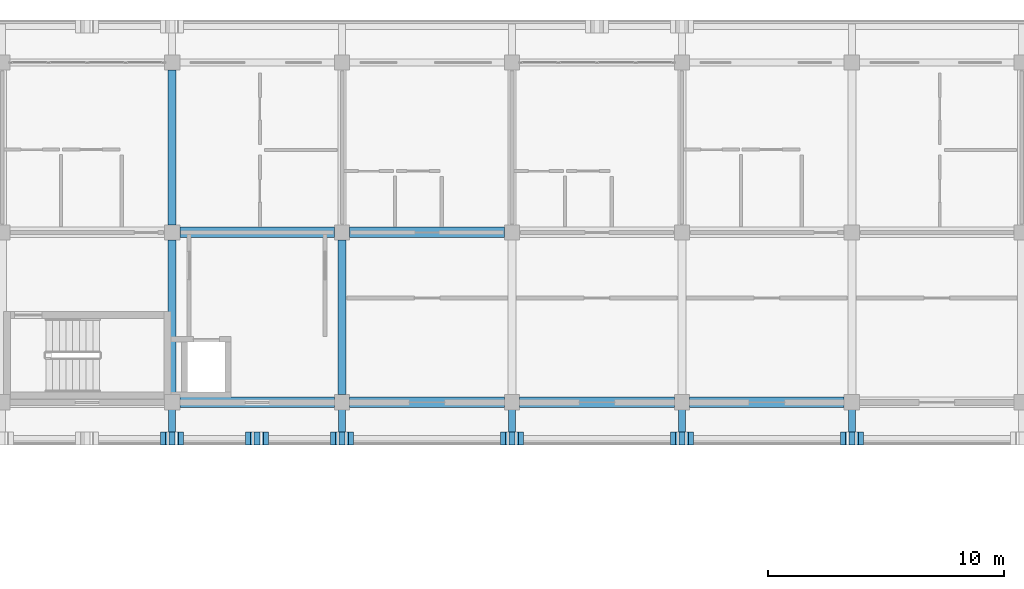
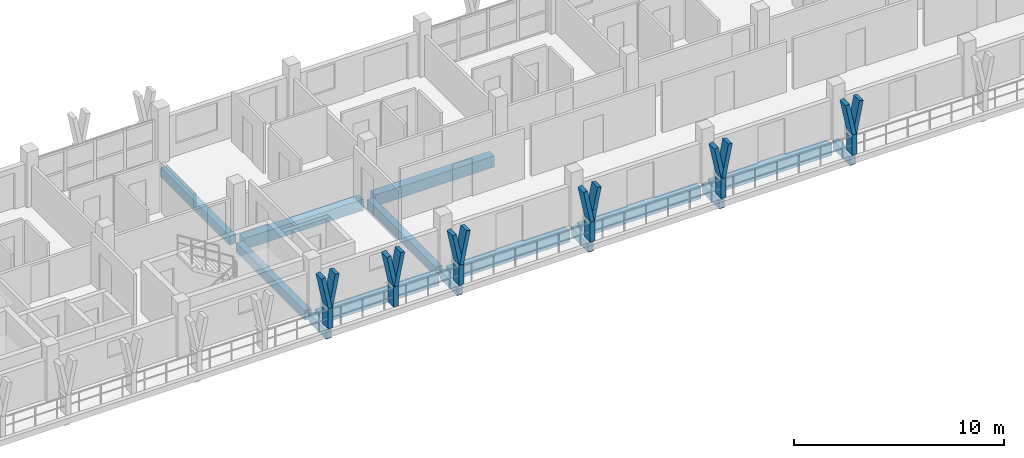
# One storey, part 19 of 78: 18 members, 14 beams.
"""IFC4 building model written with IfcOpenShell, lengths in metres."""

from ifc_helpers import new_model, si_unit, direction, frame, origin, origin_2d, place, context, subcontext, project, spatial, rectangle, extrude, material, material_profile, profile_set, type_object, element, save


model = new_model("IFC4")

# Units and contexts
model_context = context("Model", 3, precision=1e-05, world=origin(), true_north=direction((0.0, 1.0)))
body_context = subcontext(model_context, "Body", "Model", "MODEL_VIEW")
ifc_project = project(units=[si_unit("LENGTHUNIT", "METRE"), si_unit("AREAUNIT", "SQUARE_METRE"), si_unit("VOLUMEUNIT", "CUBIC_METRE"), si_unit("PLANEANGLEUNIT", "RADIAN"), si_unit("MASSUNIT", "GRAM", prefix="KILO")], contexts=[model_context])

# Site, building, storey
site_placement = place(None, origin())
site = spatial("IfcSite", under=ifc_project, at=site_placement, CompositionType="ELEMENT")
building_placement = place(site_placement, origin())
building = spatial("IfcBuilding", under=site, at=building_placement, Name="Suanplinth Sawtooth Commons", CompositionType="ELEMENT")
storey_placement = place(building_placement, frame((0.0, 0.0, 15.39990234375)))
storey = spatial("IfcBuildingStorey", under=building, at=storey_placement, Name="L04", CompositionType="ELEMENT", Elevation=15.39990234375)

# Beams
ifc_material_1 = material(Name="Precast concrete C40/50", Category="concrete")
ifc_material_profile_1 = material_profile(ifc_material_1, rectangle(XDim=0.449951171875, YDim=0.64990234375, at=origin_2d()), Name="PC-GDR 450x650")
ifc_profile_set_1 = profile_set([ifc_material_profile_1], Name="Precast concrete C40/50")
beam_type_1 = type_object("IfcBeamType", Name="B-04", PredefinedType="USERDEFINED", material=ifc_profile_set_1)
for number, where, z_axis, x_axis, name in (
    (1, (65.125, 108.0, -0.544921875), (1.0, 0.0, 0.0), (0.0, 1.0, 0.0), "BMX-L04-A-9-15"),
    (2, (65.125, 115.199951171875, -0.544921875), (1.0, 0.0, 0.0), (0.0, 1.0, 0.0), "BMX-L04-A-9-16"),
    (3, (72.324951171875, 108.0, -0.544921875), (1.0, 0.0, 0.0), (0.0, 1.0, 0.0), "BMX-L04-A-10-15"),
    (4, (72.324951171875, 115.199951171875, -0.544921875), (1.0, 0.0, 0.0), (0.0, 1.0, 0.0), "BMX-L04-A-10-16"),
    (5, (79.52490234375, 108.0, -0.544921875), (1.0, 0.0, 0.0), (0.0, 1.0, 0.0), "BMX-L04-A-11-15"),
):
    element("IfcBeam", number, at=place(storey_placement, frame(where, z_axis=z_axis, x_axis=x_axis)), inside=storey, type_object=beam_type_1, Name=name, ObjectType="GIRDER", PredefinedType="USERDEFINED", context=body_context, shape_type="SweptSolid", body=[
        extrude(rectangle(XDim=0.449951171875, YDim=0.64990234375, at=origin_2d()), origin(), (0.0, 0.0, 1.0), 6.550048828125),
    ])
beam_placement = place(storey_placement, frame((86.72509765625, 108.0, -0.544921875), z_axis=(1.0, 0.0, 0.0), x_axis=(0.0, 1.0, 0.0)))
element("IfcBeam", 6, at=beam_placement, inside=storey, type_object=beam_type_1, Name="BMX-L04-A-12-15", ObjectType="GIRDER", PredefinedType="USERDEFINED", context=body_context, shape_type="SweptSolid", body=[
    extrude(rectangle(XDim=0.449951171875, YDim=0.64990234375, at=origin_2d()), origin(), (0.0, 0.0, 1.0), 6.5498046875),
])
ifc_material_profile_2 = material_profile(ifc_material_1, rectangle(XDim=0.35009765625, YDim=0.550048828125, at=origin_2d()), Name="PC-BM 350x550")
ifc_profile_set_2 = profile_set([ifc_material_profile_2], Name="Precast concrete C40/50")
beam_type_2 = type_object("IfcBeamType", Name="B-06", PredefinedType="BEAM", material=ifc_profile_set_2)
for number, where, z_axis, x_axis, name in (
    (7, (64.800048828125, 108.324951171875, -0.494873046875), (0.0, 1.0, 0.0), (-1.0, 0.0, 0.0), "BMY-L04-A-9-15"),
    (8, (64.800048828125, 115.52490234375, -0.494873046875), (0.0, 1.0, 0.0), (-1.0, 0.0, 0.0), "BMY-L04-A-9-16"),
    (9, (72.0, 108.324951171875, -0.494873046875), (0.0, 1.0, 0.0), (-1.0, 0.0, 0.0), "BMY-L04-A-10-15"),
):
    element("IfcBeam", number, at=place(storey_placement, frame(where, z_axis=z_axis, x_axis=x_axis)), inside=storey, type_object=beam_type_2, Name=name, PredefinedType="BEAM", context=body_context, shape_type="SweptSolid", body=[
        extrude(rectangle(XDim=0.35009765625, YDim=0.550048828125, at=origin_2d()), origin(), (0.0, 0.0, 1.0), 6.550048828125),
    ])
ifc_material_profile_3 = material_profile(ifc_material_1, rectangle(XDim=0.300048828125, YDim=0.5, at=origin_2d()), Name="PC-BM 300x500")
ifc_profile_set_3 = profile_set([ifc_material_profile_3], Name="Precast concrete C40/50")
beam_type_3 = type_object("IfcBeamType", Name="B-07", PredefinedType="BEAM", material=ifc_profile_set_3)
for number, where, z_axis, x_axis, name in (
    (10, (64.800048828125, 108.0, -0.429931640625), (0.0, -1.0, 0.0), (1.0, 0.0, 0.0), "Balcony Outrigger L04-A-S-9"),
    (11, (72.0, 108.0, -0.429931640625), (0.0, -1.0, 0.0), (1.0, 0.0, 0.0), "Balcony Outrigger L04-A-S-10"),
    (12, (79.199951171875, 108.0, -0.429931640625), (0.0, -1.0, 0.0), (1.0, 0.0, 0.0), "Balcony Outrigger L04-A-S-11"),
    (13, (86.39990234375, 108.0, -0.429931640625), (0.0, -1.0, 0.0), (1.0, 0.0, 0.0), "Balcony Outrigger L04-A-S-12"),
    (14, (93.60009765625, 108.0, -0.429931640625), (0.0, -1.0, 0.0), (1.0, 0.0, 0.0), "Balcony Outrigger L04-A-S-13"),
):
    element("IfcBeam", number, at=place(storey_placement, frame(where, z_axis=z_axis, x_axis=x_axis)), inside=storey, type_object=beam_type_3, Name=name, PredefinedType="BEAM", context=body_context, shape_type="SweptSolid", body=[
        extrude(rectangle(XDim=0.300048828125, YDim=0.5, at=origin_2d()), origin(), (0.0, 0.0, 1.0), 1.639892578125),
    ])

# Members
ifc_material_2 = material(Name="Pigmented precast concrete C40/50", Category="concrete")
ifc_material_profile_4 = material_profile(ifc_material_2, rectangle(XDim=0.260009765625, YDim=0.550048828125, at=origin_2d()), Name="PC-FIN 260x550")
ifc_profile_set_4 = profile_set([ifc_material_profile_4], Name="Pigmented precast concrete C40/50")
member_type_1 = type_object("IfcMemberType", Name="M-09", PredefinedType="USERDEFINED", material=ifc_profile_set_4)
for number, where, z_axis, x_axis, name in (
    (15, (64.800048828125, 106.47998046875, 0.0), (0.0, 0.0, 1.0), (1.0, 0.0, 0.0), "Y-Blade Stem L04-A-S-20"),
    (16, (68.39990234375, 106.47998046875, 0.0), (0.0, 0.0, 1.0), (1.0, 0.0, 0.0), "Y-Blade Stem L04-A-S-21"),
    (17, (72.0, 106.47998046875, 0.0), (0.0, 0.0, 1.0), (1.0, 0.0, 0.0), "Y-Blade Stem L04-A-S-22"),
    (18, (79.199951171875, 106.47998046875, 0.0), (0.0, 0.0, 1.0), (1.0, 0.0, 0.0), "Y-Blade Stem L04-A-S-23"),
    (19, (86.39990234375, 106.47998046875, 0.0), (0.0, 0.0, 1.0), (1.0, 0.0, 0.0), "Y-Blade Stem L04-A-S-24"),
    (20, (93.60009765625, 106.47998046875, 0.0), (0.0, 0.0, 1.0), (1.0, 0.0, 0.0), "Y-Blade Stem L04-A-S-25"),
):
    element("IfcMember", number, at=place(storey_placement, frame(where, z_axis=z_axis, x_axis=x_axis)), inside=storey, type_object=member_type_1, Name=name, ObjectType="SHADING FIN", PredefinedType="USERDEFINED", context=body_context, shape_type="SweptSolid", body=[
        extrude(rectangle(XDim=0.260009765625, YDim=0.550048828125, at=origin_2d()), origin(), (0.0, 0.0, 1.0), 1.170166015625),
    ])
ifc_material_profile_5 = material_profile(ifc_material_2, rectangle(XDim=0.219970703125, YDim=0.550048828125, at=origin_2d()), Name="PC-FIN 220x550")
ifc_profile_set_5 = profile_set([ifc_material_profile_5], Name="Pigmented precast concrete C40/50")
member_type_2 = type_object("IfcMemberType", Name="M-10", PredefinedType="USERDEFINED", material=ifc_profile_set_5)
member_1_placement = place(storey_placement, frame((64.800048828125, 106.47998046875, 1.130126953125), z_axis=(-0.196431120402, 0.0, 0.980517626021), x_axis=(0.980517626021, 0.0, 0.196431120402)))
element("IfcMember", 21, at=member_1_placement, inside=storey, type_object=member_type_2, Name="Y-Blade Arm L L04-A-S-20", ObjectType="SHADING FIN", PredefinedType="USERDEFINED", context=body_context, shape_type="SweptSolid", body=[
    extrude(rectangle(XDim=0.219970703125, YDim=0.550048828125, at=origin_2d()), origin(), (0.0, 0.0, 1.0), 1.937744140625),
])
for number, where, z_axis, x_axis, name in (
    (22, (64.800048828125, 106.47998046875, 1.130126953125), (0.196309979414, 0.0, 0.980541886909), (-0.980541886909, 0.0, 0.196309979414), "Y-Blade Arm R L04-A-S-20"),
    (23, (68.39990234375, 106.47998046875, 1.130126953125), (-0.196309979414, 0.0, 0.980541886909), (0.980541886909, 0.0, 0.196309979414), "Y-Blade Arm L L04-A-S-21"),
):
    element("IfcMember", number, at=place(storey_placement, frame(where, z_axis=z_axis, x_axis=x_axis)), inside=storey, type_object=member_type_2, Name=name, ObjectType="SHADING FIN", PredefinedType="USERDEFINED", context=body_context, shape_type="SweptSolid", body=[
        extrude(rectangle(XDim=0.219970703125, YDim=0.550048828125, at=origin_2d()), origin(), (0.0, 0.0, 1.0), 1.9375),
    ])
for number, where, z_axis, x_axis, name in (
    (24, (68.39990234375, 106.47998046875, 1.130126953125), (0.196431120402, 0.0, 0.980517626021), (-0.980517626021, 0.0, 0.196431120402), "Y-Blade Arm R L04-A-S-21"),
    (25, (72.0, 106.47998046875, 1.130126953125), (-0.196431120402, 0.0, 0.980517626021), (0.980517626021, 0.0, 0.196431120402), "Y-Blade Arm L L04-A-S-22"),
    (26, (72.0, 106.47998046875, 1.130126953125), (0.196431120402, 0.0, 0.980517626021), (-0.980517626021, 0.0, 0.196431120402), "Y-Blade Arm R L04-A-S-22"),
):
    element("IfcMember", number, at=place(storey_placement, frame(where, z_axis=z_axis, x_axis=x_axis)), inside=storey, type_object=member_type_2, Name=name, ObjectType="SHADING FIN", PredefinedType="USERDEFINED", context=body_context, shape_type="SweptSolid", body=[
        extrude(rectangle(XDim=0.219970703125, YDim=0.550048828125, at=origin_2d()), origin(), (0.0, 0.0, 1.0), 1.937744140625),
    ])
member_2_placement = place(storey_placement, frame((79.199951171875, 106.47998046875, 1.130126953125), z_axis=(-0.196309979414, 0.0, 0.980541886909), x_axis=(0.980541886909, 0.0, 0.196309979414)))
element("IfcMember", 27, at=member_2_placement, inside=storey, type_object=member_type_2, Name="Y-Blade Arm L L04-A-S-23", ObjectType="SHADING FIN", PredefinedType="USERDEFINED", context=body_context, shape_type="SweptSolid", body=[
    extrude(rectangle(XDim=0.219970703125, YDim=0.550048828125, at=origin_2d()), origin(), (0.0, 0.0, 1.0), 1.9375),
])
member_3_placement = place(storey_placement, frame((79.199951171875, 106.47998046875, 1.130126953125), z_axis=(0.196431120402, 0.0, 0.980517626021), x_axis=(-0.980517626021, 0.0, 0.196431120402)))
element("IfcMember", 28, at=member_3_placement, inside=storey, type_object=member_type_2, Name="Y-Blade Arm R L04-A-S-23", ObjectType="SHADING FIN", PredefinedType="USERDEFINED", context=body_context, shape_type="SweptSolid", body=[
    extrude(rectangle(XDim=0.219970703125, YDim=0.550048828125, at=origin_2d()), origin(), (0.0, 0.0, 1.0), 1.937744140625),
])
member_4_placement = place(storey_placement, frame((86.39990234375, 106.47998046875, 1.130126953125), z_axis=(-0.196309979414, 0.0, 0.980541886909), x_axis=(0.980541886909, 0.0, 0.196309979414)))
element("IfcMember", 29, at=member_4_placement, inside=storey, type_object=member_type_2, Name="Y-Blade Arm L L04-A-S-24", ObjectType="SHADING FIN", PredefinedType="USERDEFINED", context=body_context, shape_type="SweptSolid", body=[
    extrude(rectangle(XDim=0.219970703125, YDim=0.550048828125, at=origin_2d()), origin(), (0.0, 0.0, 1.0), 1.9375),
])
for number, where, z_axis, x_axis, name in (
    (30, (86.39990234375, 106.47998046875, 1.130126953125), (0.196431120402, 0.0, 0.980517626021), (-0.980517626021, 0.0, 0.196431120402), "Y-Blade Arm R L04-A-S-24"),
    (31, (93.60009765625, 106.47998046875, 1.130126953125), (-0.196431120402, 0.0, 0.980517626021), (0.980517626021, 0.0, 0.196431120402), "Y-Blade Arm L L04-A-S-25"),
):
    element("IfcMember", number, at=place(storey_placement, frame(where, z_axis=z_axis, x_axis=x_axis)), inside=storey, type_object=member_type_2, Name=name, ObjectType="SHADING FIN", PredefinedType="USERDEFINED", context=body_context, shape_type="SweptSolid", body=[
        extrude(rectangle(XDim=0.219970703125, YDim=0.550048828125, at=origin_2d()), origin(), (0.0, 0.0, 1.0), 1.937744140625),
    ])
member_5_placement = place(storey_placement, frame((93.60009765625, 106.47998046875, 1.130126953125), z_axis=(0.196309979414, 0.0, 0.980541886909), x_axis=(-0.980541886909, 0.0, 0.196309979414)))
element("IfcMember", 32, at=member_5_placement, inside=storey, type_object=member_type_2, Name="Y-Blade Arm R L04-A-S-25", ObjectType="SHADING FIN", PredefinedType="USERDEFINED", context=body_context, shape_type="SweptSolid", body=[
    extrude(rectangle(XDim=0.219970703125, YDim=0.550048828125, at=origin_2d()), origin(), (0.0, 0.0, 1.0), 1.9375),
])

save(model, "model.ifc")
